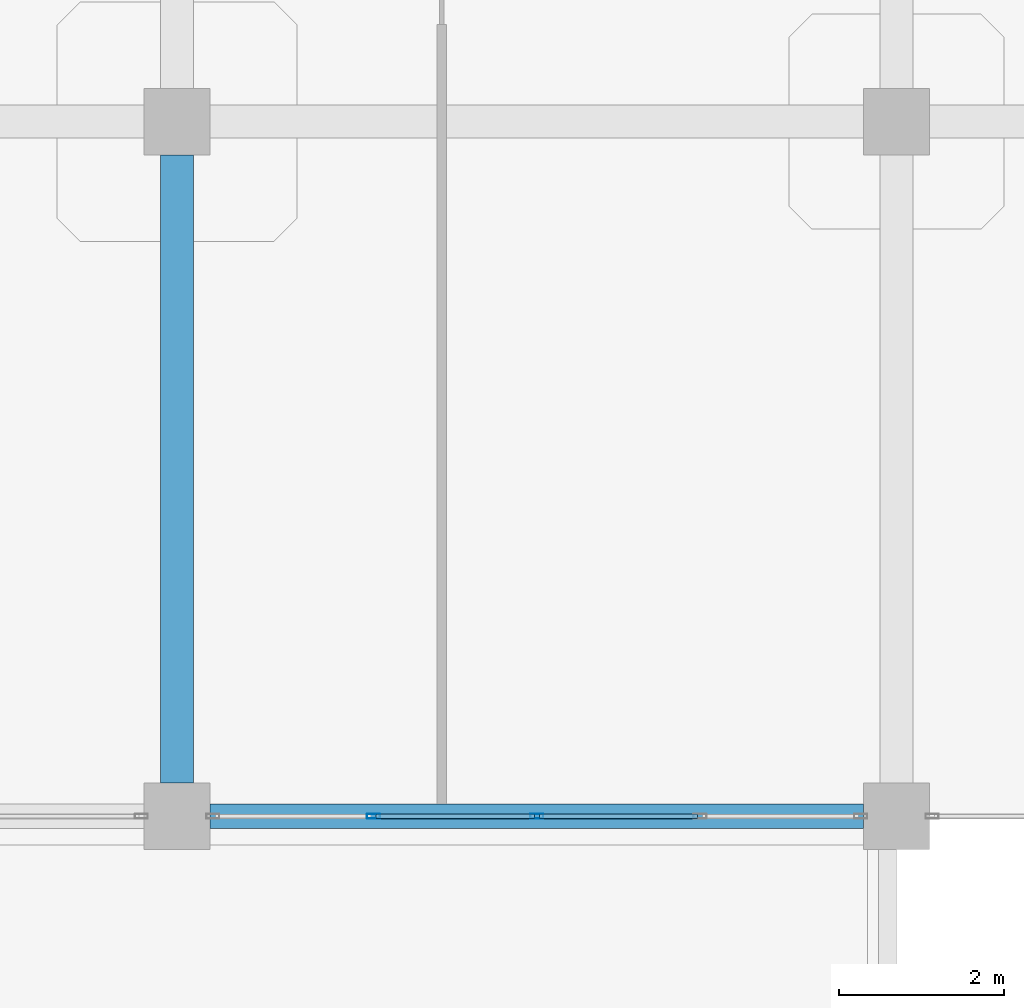
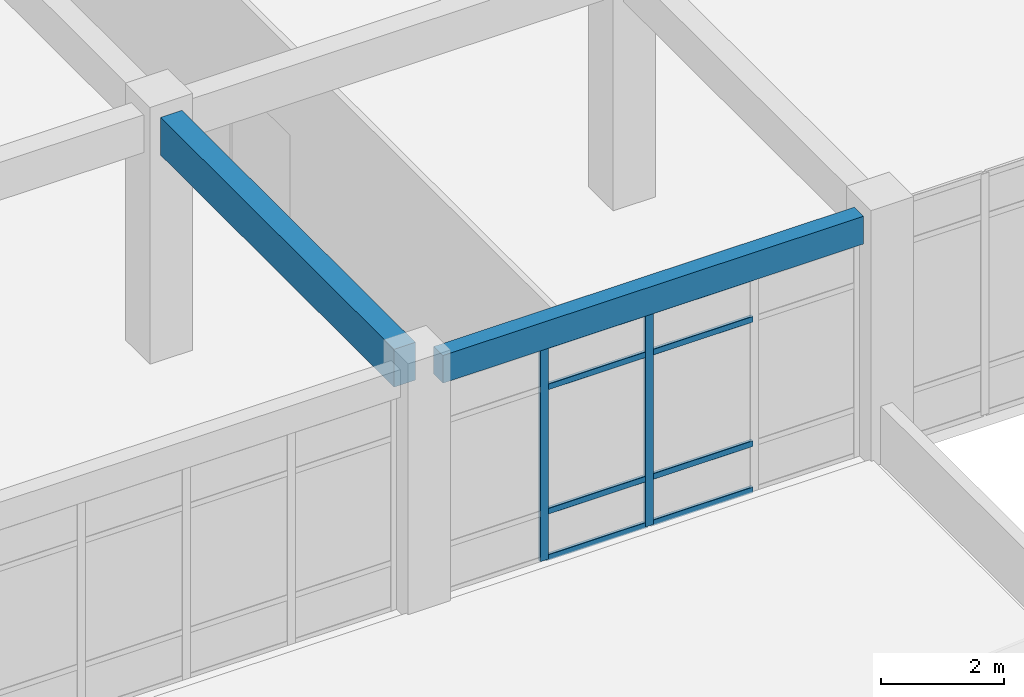
# One storey, part 61 of 124: 10 members, 2 beams, 1 element without a shape of its own.
"""IFC4 building model written with IfcOpenShell, lengths in metres."""

from ifc_helpers import new_model, si_unit, derived_unit, direction, frame, origin, origin_2d, place, context, subcontext, project, spatial, rectangle, hollow_rectangle, extrude, material, layer, layer_set, material_profile, profile_set, type_object, element, aggregate, save


model = new_model("IFC4")

# Units and contexts
model_context = context("Model", 3, precision=1e-05, world=origin(), true_north=direction((0.0, 1.0)))
body_context = subcontext(model_context, "Body", "Model", "MODEL_VIEW")
ifc_project = project(units=[si_unit("LENGTHUNIT", "METRE"), si_unit("AREAUNIT", "SQUARE_METRE"), si_unit("VOLUMEUNIT", "CUBIC_METRE"), si_unit("PLANEANGLEUNIT", "RADIAN"), si_unit("MASSUNIT", "GRAM", prefix="KILO"), derived_unit("THERMALTRANSMITTANCEUNIT", [(si_unit("MASSUNIT", "GRAM", prefix="KILO"), 1), (si_unit("TIMEUNIT", "SECOND"), -3), (si_unit("THERMODYNAMICTEMPERATUREUNIT", "KELVIN"), -1)])], contexts=[model_context])

# Site, building, storey
site_placement = place(None, origin())
site = spatial("IfcSite", under=ifc_project, at=site_placement, CompositionType="ELEMENT")
building_placement = place(site_placement, origin())
building = spatial("IfcBuilding", under=site, at=building_placement, Name="Qinzheling Arcade Emporium", CompositionType="ELEMENT")
storey_placement = place(building_placement, frame((0.0, 0.0, 16.5)))
storey = spatial("IfcBuildingStorey", under=building, at=storey_placement, Name="L04", CompositionType="ELEMENT", Elevation=16.5)

# Curtain wall, members
ifc_material_1 = material(Name="Anodised aluminium and solar-control double glazing", Category="aluminium")
ifc_layer = layer(ifc_material_1, 0.159912109375, Name="Anodised aluminium and solar-control double glazing", Category="aluminium")
ifc_layer_set = layer_set([ifc_layer], Name="Anodised aluminium and solar-control double glazing")
curtain_wall_type = type_object("IfcCurtainWallType", Name="Arcade Portal Glazed Curtain Wall", PredefinedType="NOTDEFINED", material=ifc_layer_set)
curtain_wall_placement = place(storey_placement, origin())
curtain_wall = element("IfcCurtainWall", 1, at=curtain_wall_placement, inside=storey, type_object=curtain_wall_type, Name="Curtain Wall CW-L04-283", PredefinedType="NOTDEFINED")
ifc_material_2 = material(Name="Anodised aluminium 6063-T6", Category="aluminium")
ifc_material_profile_1 = material_profile(ifc_material_2, hollow_rectangle(XDim=0.06005859375, YDim=0.159912109375, WallThickness=0.00390625, InnerFilletRadius=0.00390625, OuterFilletRadius=0.008056640625, at=origin_2d()), Name="RHS 160x60x4", Category="aluminium")
ifc_profile_set_1 = profile_set([ifc_material_profile_1], Name="Anodised aluminium 6063-T6")
member_type_1 = type_object("IfcMemberType", Name="Curtain Wall Mullion RHS160x60", PredefinedType="MULLION", material=ifc_profile_set_1)
member_1_placement = place(storey_placement, frame((126.14990234375, 73.800048828125, 0.0), z_axis=(0.0, 0.0, 1.0), x_axis=(0.0, -1.0, 0.0)))
member_1 = element("IfcMember", 2, at=member_1_placement, type_object=member_type_1, Name="CW05 mullion 3", PredefinedType="MULLION", context=body_context, shape_type="SweptSolid", body=[
    extrude(hollow_rectangle(XDim=0.06005859375, YDim=0.159912109375, WallThickness=0.00390625, InnerFilletRadius=0.00390625, OuterFilletRadius=0.008056640625, at=origin_2d()), origin(), (0.0, 0.0, 1.0), 4.27001953125),
])
member_2_placement = place(storey_placement, frame((124.176025390625, 73.800048828125, 0.0), z_axis=(0.0, 0.0, 1.0), x_axis=(0.0, -1.0, 0.0)))
member_2 = element("IfcMember", 3, at=member_2_placement, type_object=member_type_1, Name="CW05 mullion 4", PredefinedType="MULLION", context=body_context, shape_type="SweptSolid", body=[
    extrude(hollow_rectangle(XDim=0.06005859375, YDim=0.159912109375, WallThickness=0.00390625, InnerFilletRadius=0.00390625, OuterFilletRadius=0.008056640625, at=origin_2d()), origin(), (0.0, 0.0, 1.0), 4.27001953125),
])
ifc_material_profile_2 = material_profile(ifc_material_2, hollow_rectangle(XDim=0.06005859375, YDim=0.1201171875, WallThickness=0.00390625, InnerFilletRadius=0.00390625, OuterFilletRadius=0.008056640625, at=origin_2d()), Name="RHS 120x60x4", Category="aluminium")
ifc_profile_set_2 = profile_set([ifc_material_profile_2], Name="Anodised aluminium 6063-T6")
member_type_2 = type_object("IfcMemberType", Name="Curtain Wall Transom RHS120x60", PredefinedType="USERDEFINED", material=ifc_profile_set_2)
member_3_placement = place(storey_placement, frame((128.093994140625, 73.800048828125, 0.030029296875), z_axis=(-1.0, 0.0, 0.0), x_axis=(0.0, -1.0, 0.0)))
member_3 = element("IfcMember", 4, at=member_3_placement, type_object=member_type_2, Name="CW05 transom 2.1", ObjectType="TRANSOM", PredefinedType="USERDEFINED", context=body_context, shape_type="SweptSolid", body=[
    extrude(hollow_rectangle(XDim=0.06005859375, YDim=0.1201171875, WallThickness=0.00390625, InnerFilletRadius=0.00390625, OuterFilletRadius=0.008056640625, at=origin_2d()), origin(), (0.0, 0.0, 1.0), 1.9140625),
])
member_4_placement = place(storey_placement, frame((128.093994140625, 73.800048828125, 0.949951171875), z_axis=(-1.0, 0.0, 0.0), x_axis=(0.0, -1.0, 0.0)))
member_4 = element("IfcMember", 5, at=member_4_placement, type_object=member_type_2, Name="CW05 transom 2.2", ObjectType="TRANSOM", PredefinedType="USERDEFINED", context=body_context, shape_type="SweptSolid", body=[
    extrude(hollow_rectangle(XDim=0.06005859375, YDim=0.1201171875, WallThickness=0.00390625, InnerFilletRadius=0.00390625, OuterFilletRadius=0.008056640625, at=origin_2d()), origin(), (0.0, 0.0, 1.0), 1.9140625),
])
member_5_placement = place(storey_placement, frame((128.093994140625, 73.800048828125, 3.419921875), z_axis=(-1.0, 0.0, 0.0), x_axis=(0.0, -1.0, 0.0)))
member_5 = element("IfcMember", 6, at=member_5_placement, type_object=member_type_2, Name="CW05 transom 2.3", ObjectType="TRANSOM", PredefinedType="USERDEFINED", context=body_context, shape_type="SweptSolid", body=[
    extrude(hollow_rectangle(XDim=0.06005859375, YDim=0.1201171875, WallThickness=0.00390625, InnerFilletRadius=0.00390625, OuterFilletRadius=0.008056640625, at=origin_2d()), origin(), (0.0, 0.0, 1.0), 1.9140625),
])
member_6_placement = place(storey_placement, frame((128.093994140625, 73.800048828125, 4.239990234375), z_axis=(-1.0, 0.0, 0.0), x_axis=(0.0, -1.0, 0.0)))
member_6 = element("IfcMember", 7, at=member_6_placement, type_object=member_type_2, Name="CW05 transom 2.4", ObjectType="TRANSOM", PredefinedType="USERDEFINED", context=body_context, shape_type="SweptSolid", body=[
    extrude(hollow_rectangle(XDim=0.06005859375, YDim=0.1201171875, WallThickness=0.00390625, InnerFilletRadius=0.00390625, OuterFilletRadius=0.008056640625, at=origin_2d()), origin(), (0.0, 0.0, 1.0), 1.9140625),
])
member_7_placement = place(storey_placement, frame((126.1201171875, 73.800048828125, 0.030029296875), z_axis=(-1.0, 0.0, 0.0), x_axis=(0.0, -1.0, 0.0)))
member_7 = element("IfcMember", 8, at=member_7_placement, type_object=member_type_2, Name="CW05 transom 3.1", ObjectType="TRANSOM", PredefinedType="USERDEFINED", context=body_context, shape_type="SweptSolid", body=[
    extrude(hollow_rectangle(XDim=0.06005859375, YDim=0.1201171875, WallThickness=0.00390625, InnerFilletRadius=0.00390625, OuterFilletRadius=0.008056640625, at=origin_2d()), origin(), (0.0, 0.0, 1.0), 1.9140625),
])
member_8_placement = place(storey_placement, frame((126.1201171875, 73.800048828125, 0.949951171875), z_axis=(-1.0, 0.0, 0.0), x_axis=(0.0, -1.0, 0.0)))
member_8 = element("IfcMember", 9, at=member_8_placement, type_object=member_type_2, Name="CW05 transom 3.2", ObjectType="TRANSOM", PredefinedType="USERDEFINED", context=body_context, shape_type="SweptSolid", body=[
    extrude(hollow_rectangle(XDim=0.06005859375, YDim=0.1201171875, WallThickness=0.00390625, InnerFilletRadius=0.00390625, OuterFilletRadius=0.008056640625, at=origin_2d()), origin(), (0.0, 0.0, 1.0), 1.9140625),
])
member_9_placement = place(storey_placement, frame((126.1201171875, 73.800048828125, 3.419921875), z_axis=(-1.0, 0.0, 0.0), x_axis=(0.0, -1.0, 0.0)))
member_9 = element("IfcMember", 10, at=member_9_placement, type_object=member_type_2, Name="CW05 transom 3.3", ObjectType="TRANSOM", PredefinedType="USERDEFINED", context=body_context, shape_type="SweptSolid", body=[
    extrude(hollow_rectangle(XDim=0.06005859375, YDim=0.1201171875, WallThickness=0.00390625, InnerFilletRadius=0.00390625, OuterFilletRadius=0.008056640625, at=origin_2d()), origin(), (0.0, 0.0, 1.0), 1.9140625),
])
member_10_placement = place(storey_placement, frame((126.1201171875, 73.800048828125, 4.239990234375), z_axis=(-1.0, 0.0, 0.0), x_axis=(0.0, -1.0, 0.0)))
member_10 = element("IfcMember", 11, at=member_10_placement, type_object=member_type_2, Name="CW05 transom 3.4", ObjectType="TRANSOM", PredefinedType="USERDEFINED", context=body_context, shape_type="SweptSolid", body=[
    extrude(hollow_rectangle(XDim=0.06005859375, YDim=0.1201171875, WallThickness=0.00390625, InnerFilletRadius=0.00390625, OuterFilletRadius=0.008056640625, at=origin_2d()), origin(), (0.0, 0.0, 1.0), 1.9140625),
])
aggregate(curtain_wall, [member_1, member_2, member_3, member_4, member_5, member_6, member_7, member_8, member_9, member_10])

# Beams
ifc_material_3 = material(Name="Concrete C40", Category="concrete")
ifc_material_profile_3 = material_profile(ifc_material_3, rectangle(XDim=0.39990234375, YDim=0.75, at=origin_2d()), Name="RC 400x750", Category="concrete")
ifc_profile_set_3 = profile_set([ifc_material_profile_3], Name="Concrete C40")
beam_type_1 = type_object("IfcBeamType", Name="RC Interior Tie Beam 400x750 C40", PredefinedType="BEAM", material=ifc_profile_set_3)
beam_1_placement = place(storey_placement, frame((121.800048828125, 74.199951171875, 4.4599609375), z_axis=(0.0, 1.0, 0.0), x_axis=(-1.0, 0.0, 0.0)))
element("IfcBeam", 12, at=beam_1_placement, inside=storey, type_object=beam_type_1, Name="Beam BM-L04-Y-15-J", PredefinedType="BEAM", context=body_context, shape_type="SweptSolid", body=[
    extrude(rectangle(XDim=0.39990234375, YDim=0.75, at=origin_2d()), origin(), (0.0, 0.0, 1.0), 7.60009765625),
])
ifc_material_profile_4 = material_profile(ifc_material_3, rectangle(XDim=0.300048828125, YDim=0.550048828125, at=origin_2d()), Name="RC 300x550", Category="concrete")
ifc_profile_set_4 = profile_set([ifc_material_profile_4], Name="Concrete C40")
beam_type_2 = type_object("IfcBeamType", Name="RC Terrace Spandrel Beam 300x550 C40", PredefinedType="SPANDREL", material=ifc_profile_set_4)
beam_2_placement = place(storey_placement, frame((122.199951171875, 73.800048828125, 4.56005859375), z_axis=(1.0, 0.0, 0.0), x_axis=(0.0, 1.0, 0.0)))
element("IfcBeam", 13, at=beam_2_placement, inside=storey, type_object=beam_type_2, Name="Beam BM-L04-X-J-15", PredefinedType="SPANDREL", context=body_context, shape_type="SweptSolid", body=[
    extrude(rectangle(XDim=0.300048828125, YDim=0.550048828125, at=origin_2d()), origin(), (0.0, 0.0, 1.0), 7.900146484375),
])

save(model, "model.ifc")
